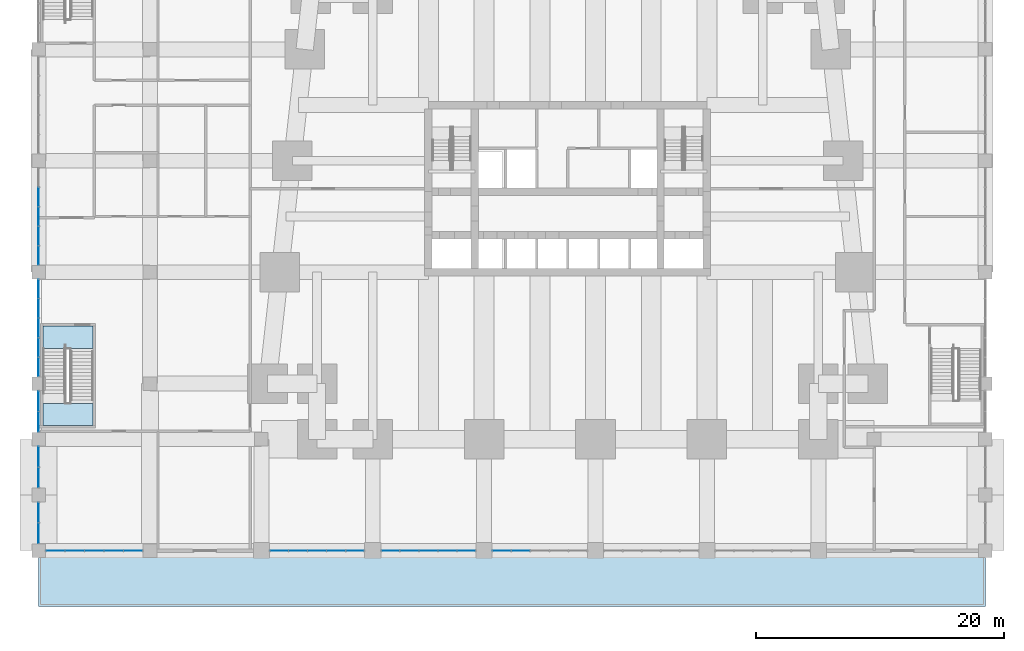
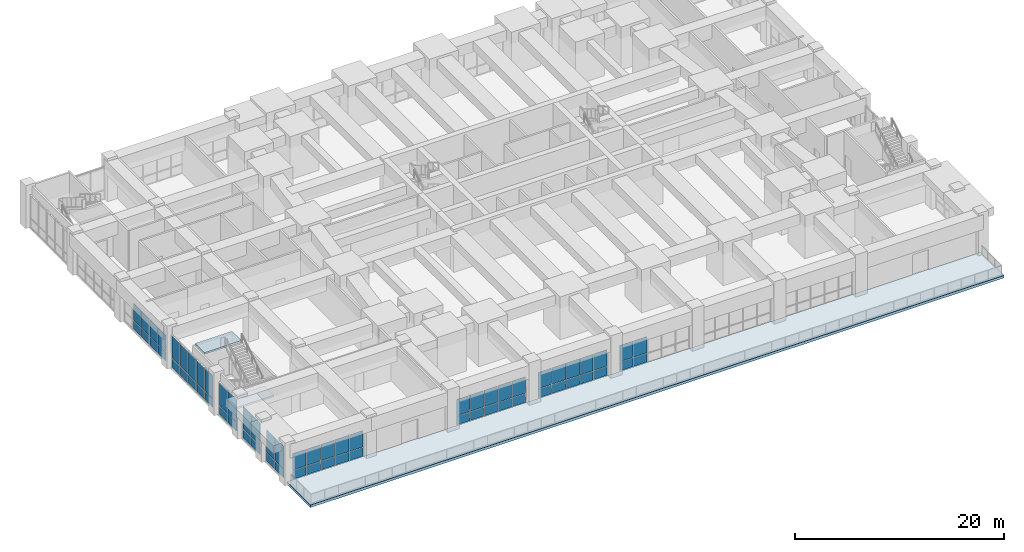
# One storey, part 17 of 27: 64 plates, 3 slabs, 10 elements without a shape of their own.
"""IFC4 building model written with IfcOpenShell, lengths in metres."""

from ifc_helpers import new_model, si_unit, direction, frame, origin, origin_2d, place, context, subcontext, project, spatial, polyline, rectangle, outline, extrude, material, layer, layer_set, type_object, element, aggregate, save


model = new_model("IFC4")

# Units and contexts
model_context = context("Model", 3, precision=1e-05, world=origin(), true_north=direction((0.0, 1.0)))
body_context = subcontext(model_context, "Body", "Model", "MODEL_VIEW")
ifc_project = project(units=[si_unit("LENGTHUNIT", "METRE"), si_unit("AREAUNIT", "SQUARE_METRE"), si_unit("VOLUMEUNIT", "CUBIC_METRE"), si_unit("PLANEANGLEUNIT", "RADIAN"), si_unit("MASSUNIT", "GRAM", prefix="KILO")], contexts=[model_context])

# Site, building, storey
site_placement = place(None, origin())
site = spatial("IfcSite", under=ifc_project, at=site_placement, CompositionType="ELEMENT")
building_placement = place(site_placement, origin())
building = spatial("IfcBuilding", under=site, at=building_placement, Name="Kilele Tower Hotel", CompositionType="ELEMENT")
storey_placement = place(building_placement, frame((0.0, 0.0, 6.0)))
storey = spatial("IfcBuildingStorey", under=building, at=storey_placement, Name="L01", CompositionType="ELEMENT", Elevation=6.0)

# Curtain wall, plates
ifc_material_1 = material(Name="Aluminium curtain wall, clear double glazing", Category="aluminium")
curtain_wall_type_1 = type_object("IfcCurtainWallType", Name="Podium curtain wall CW-1", PredefinedType="NOTDEFINED", material=ifc_material_1)
curtain_wall_1_placement = place(storey_placement, origin())
curtain_wall_1 = element("IfcCurtainWall", 1, at=curtain_wall_1_placement, inside=storey, type_object=curtain_wall_type_1, Name="Podium curtain wall CW-1 L01", PredefinedType="NOTDEFINED")
ifc_material_2 = material(Name="Clear double glazing", Category="glass")
ifc_layer_1 = layer(ifc_material_2, 0.028076171875)
ifc_layer_set_1 = layer_set([ifc_layer_1], Name="Clear double glazing")
plate_type_1 = type_object("IfcPlateType", Name="Glazed panel 28 CW-1", PredefinedType="CURTAIN_PANEL", material=ifc_layer_set_1)
plate_1_placement = place(storey_placement, frame((-16.64501953125, -9.0, 0.06005859375), z_axis=(0.0, 0.0, 1.0), x_axis=(1.0, 0.0, 0.0)))
plate_1 = element("IfcPlate", 2, at=plate_1_placement, type_object=plate_type_1, Name="CW-1 panel 1.1", PredefinedType="CURTAIN_PANEL", context=body_context, shape_type="SweptSolid", body=[
    extrude(rectangle(XDim=1.489990234375, YDim=0.028076171875, at=origin_2d()), origin(), (0.0, 0.0, 1.0), 1.010009765625),
])
plate_2_placement = place(storey_placement, frame((-16.64501953125, -9.0, 1.1298828125), z_axis=(0.0, 0.0, 1.0), x_axis=(1.0, 0.0, 0.0)))
plate_2 = element("IfcPlate", 3, at=plate_2_placement, type_object=plate_type_1, Name="CW-1 panel 1.2", PredefinedType="CURTAIN_PANEL", context=body_context, shape_type="SweptSolid", body=[
    extrude(rectangle(XDim=1.489990234375, YDim=0.028076171875, at=origin_2d()), origin(), (0.0, 0.0, 1.0), 1.909912109375),
])
plate_3_placement = place(storey_placement, frame((-15.080078125, -9.0, 0.06005859375), z_axis=(0.0, 0.0, 1.0), x_axis=(1.0, 0.0, 0.0)))
plate_3 = element("IfcPlate", 4, at=plate_3_placement, type_object=plate_type_1, Name="CW-1 panel 2.1", PredefinedType="CURTAIN_PANEL", context=body_context, shape_type="SweptSolid", body=[
    extrude(rectangle(XDim=1.52001953125, YDim=0.028076171875, at=origin_2d()), origin(), (0.0, 0.0, 1.0), 1.010009765625),
])
plate_4_placement = place(storey_placement, frame((-15.080078125, -9.0, 1.1298828125), z_axis=(0.0, 0.0, 1.0), x_axis=(1.0, 0.0, 0.0)))
plate_4 = element("IfcPlate", 5, at=plate_4_placement, type_object=plate_type_1, Name="CW-1 panel 2.2", PredefinedType="CURTAIN_PANEL", context=body_context, shape_type="SweptSolid", body=[
    extrude(rectangle(XDim=1.52001953125, YDim=0.028076171875, at=origin_2d()), origin(), (0.0, 0.0, 1.0), 1.909912109375),
])
plate_5_placement = place(storey_placement, frame((-13.5, -9.0, 0.06005859375), z_axis=(0.0, 0.0, 1.0), x_axis=(1.0, 0.0, 0.0)))
plate_5 = element("IfcPlate", 6, at=plate_5_placement, type_object=plate_type_1, Name="CW-1 panel 3.1", PredefinedType="CURTAIN_PANEL", context=body_context, shape_type="SweptSolid", body=[
    extrude(rectangle(XDim=1.52001953125, YDim=0.028076171875, at=origin_2d()), origin(), (0.0, 0.0, 1.0), 1.010009765625),
])
plate_6_placement = place(storey_placement, frame((-13.5, -9.0, 1.1298828125), z_axis=(0.0, 0.0, 1.0), x_axis=(1.0, 0.0, 0.0)))
plate_6 = element("IfcPlate", 7, at=plate_6_placement, type_object=plate_type_1, Name="CW-1 panel 3.2", PredefinedType="CURTAIN_PANEL", context=body_context, shape_type="SweptSolid", body=[
    extrude(rectangle(XDim=1.52001953125, YDim=0.028076171875, at=origin_2d()), origin(), (0.0, 0.0, 1.0), 1.909912109375),
])
plate_7_placement = place(storey_placement, frame((-11.919921875, -9.0, 0.06005859375), z_axis=(0.0, 0.0, 1.0), x_axis=(1.0, 0.0, 0.0)))
plate_7 = element("IfcPlate", 8, at=plate_7_placement, type_object=plate_type_1, Name="CW-1 panel 4.1", PredefinedType="CURTAIN_PANEL", context=body_context, shape_type="SweptSolid", body=[
    extrude(rectangle(XDim=1.52001953125, YDim=0.028076171875, at=origin_2d()), origin(), (0.0, 0.0, 1.0), 1.010009765625),
])
plate_8_placement = place(storey_placement, frame((-11.919921875, -9.0, 1.1298828125), z_axis=(0.0, 0.0, 1.0), x_axis=(1.0, 0.0, 0.0)))
plate_8 = element("IfcPlate", 9, at=plate_8_placement, type_object=plate_type_1, Name="CW-1 panel 4.2", PredefinedType="CURTAIN_PANEL", context=body_context, shape_type="SweptSolid", body=[
    extrude(rectangle(XDim=1.52001953125, YDim=0.028076171875, at=origin_2d()), origin(), (0.0, 0.0, 1.0), 1.909912109375),
])
plate_9_placement = place(storey_placement, frame((-10.35498046875, -9.0, 0.06005859375), z_axis=(0.0, 0.0, 1.0), x_axis=(1.0, 0.0, 0.0)))
plate_9 = element("IfcPlate", 10, at=plate_9_placement, type_object=plate_type_1, Name="CW-1 panel 5.1", PredefinedType="CURTAIN_PANEL", context=body_context, shape_type="SweptSolid", body=[
    extrude(rectangle(XDim=1.489990234375, YDim=0.028076171875, at=origin_2d()), origin(), (0.0, 0.0, 1.0), 1.010009765625),
])
plate_10_placement = place(storey_placement, frame((-10.35498046875, -9.0, 1.1298828125), z_axis=(0.0, 0.0, 1.0), x_axis=(1.0, 0.0, 0.0)))
plate_10 = element("IfcPlate", 11, at=plate_10_placement, type_object=plate_type_1, Name="CW-1 panel 5.2", PredefinedType="CURTAIN_PANEL", context=body_context, shape_type="SweptSolid", body=[
    extrude(rectangle(XDim=1.489990234375, YDim=0.028076171875, at=origin_2d()), origin(), (0.0, 0.0, 1.0), 1.909912109375),
])
aggregate(curtain_wall_1, [plate_1, plate_2, plate_3, plate_4, plate_5, plate_6, plate_7, plate_8, plate_9, plate_10])

curtain_wall_2_placement = place(storey_placement, origin())
curtain_wall_2 = element("IfcCurtainWall", 12, at=curtain_wall_2_placement, inside=storey, type_object=curtain_wall_type_1, Name="Podium curtain wall CW-1 L01", PredefinedType="NOTDEFINED")
plate_11_placement = place(storey_placement, frame((1.43505859375, -9.0, 0.06005859375), z_axis=(0.0, 0.0, 1.0), x_axis=(1.0, 0.0, 0.0)))
plate_11 = element("IfcPlate", 13, at=plate_11_placement, type_object=plate_type_1, Name="CW-1 panel 1.1", PredefinedType="CURTAIN_PANEL", context=body_context, shape_type="SweptSolid", body=[
    extrude(rectangle(XDim=1.449951171875, YDim=0.028076171875, at=origin_2d()), origin(), (0.0, 0.0, 1.0), 1.010009765625),
])
plate_12_placement = place(storey_placement, frame((1.43505859375, -9.0, 1.1298828125), z_axis=(0.0, 0.0, 1.0), x_axis=(1.0, 0.0, 0.0)))
plate_12 = element("IfcPlate", 14, at=plate_12_placement, type_object=plate_type_1, Name="CW-1 panel 1.2", PredefinedType="CURTAIN_PANEL", context=body_context, shape_type="SweptSolid", body=[
    extrude(rectangle(XDim=1.449951171875, YDim=0.028076171875, at=origin_2d()), origin(), (0.0, 0.0, 1.0), 1.909912109375),
])
plate_13_placement = place(storey_placement, frame((2.9599609375, -9.0, 0.06005859375), z_axis=(0.0, 0.0, 1.0), x_axis=(1.0, 0.0, 0.0)))
plate_13 = element("IfcPlate", 15, at=plate_13_placement, type_object=plate_type_1, Name="CW-1 panel 2.1", PredefinedType="CURTAIN_PANEL", context=body_context, shape_type="SweptSolid", body=[
    extrude(rectangle(XDim=1.47998046875, YDim=0.028076171875, at=origin_2d()), origin(), (0.0, 0.0, 1.0), 1.010009765625),
])
plate_14_placement = place(storey_placement, frame((2.9599609375, -9.0, 1.1298828125), z_axis=(0.0, 0.0, 1.0), x_axis=(1.0, 0.0, 0.0)))
plate_14 = element("IfcPlate", 16, at=plate_14_placement, type_object=plate_type_1, Name="CW-1 panel 2.2", PredefinedType="CURTAIN_PANEL", context=body_context, shape_type="SweptSolid", body=[
    extrude(rectangle(XDim=1.47998046875, YDim=0.028076171875, at=origin_2d()), origin(), (0.0, 0.0, 1.0), 1.909912109375),
])
plate_15_placement = place(storey_placement, frame((4.5, -9.0, 0.06005859375), z_axis=(0.0, 0.0, 1.0), x_axis=(1.0, 0.0, 0.0)))
plate_15 = element("IfcPlate", 17, at=plate_15_placement, type_object=plate_type_1, Name="CW-1 panel 3.1", PredefinedType="CURTAIN_PANEL", context=body_context, shape_type="SweptSolid", body=[
    extrude(rectangle(XDim=1.47998046875, YDim=0.028076171875, at=origin_2d()), origin(), (0.0, 0.0, 1.0), 1.010009765625),
])
plate_16_placement = place(storey_placement, frame((4.5, -9.0, 1.1298828125), z_axis=(0.0, 0.0, 1.0), x_axis=(1.0, 0.0, 0.0)))
plate_16 = element("IfcPlate", 18, at=plate_16_placement, type_object=plate_type_1, Name="CW-1 panel 3.2", PredefinedType="CURTAIN_PANEL", context=body_context, shape_type="SweptSolid", body=[
    extrude(rectangle(XDim=1.47998046875, YDim=0.028076171875, at=origin_2d()), origin(), (0.0, 0.0, 1.0), 1.909912109375),
])
plate_17_placement = place(storey_placement, frame((6.0400390625, -9.0, 0.06005859375), z_axis=(0.0, 0.0, 1.0), x_axis=(1.0, 0.0, 0.0)))
plate_17 = element("IfcPlate", 19, at=plate_17_placement, type_object=plate_type_1, Name="CW-1 panel 4.1", PredefinedType="CURTAIN_PANEL", context=body_context, shape_type="SweptSolid", body=[
    extrude(rectangle(XDim=1.47998046875, YDim=0.028076171875, at=origin_2d()), origin(), (0.0, 0.0, 1.0), 1.010009765625),
])
plate_18_placement = place(storey_placement, frame((6.0400390625, -9.0, 1.1298828125), z_axis=(0.0, 0.0, 1.0), x_axis=(1.0, 0.0, 0.0)))
plate_18 = element("IfcPlate", 20, at=plate_18_placement, type_object=plate_type_1, Name="CW-1 panel 4.2", PredefinedType="CURTAIN_PANEL", context=body_context, shape_type="SweptSolid", body=[
    extrude(rectangle(XDim=1.47998046875, YDim=0.028076171875, at=origin_2d()), origin(), (0.0, 0.0, 1.0), 1.909912109375),
])
plate_19_placement = place(storey_placement, frame((7.56494140625, -9.0, 0.06005859375), z_axis=(0.0, 0.0, 1.0), x_axis=(1.0, 0.0, 0.0)))
plate_19 = element("IfcPlate", 21, at=plate_19_placement, type_object=plate_type_1, Name="CW-1 panel 5.1", PredefinedType="CURTAIN_PANEL", context=body_context, shape_type="SweptSolid", body=[
    extrude(rectangle(XDim=1.449951171875, YDim=0.028076171875, at=origin_2d()), origin(), (0.0, 0.0, 1.0), 1.010009765625),
])
plate_20_placement = place(storey_placement, frame((7.56494140625, -9.0, 1.1298828125), z_axis=(0.0, 0.0, 1.0), x_axis=(1.0, 0.0, 0.0)))
plate_20 = element("IfcPlate", 22, at=plate_20_placement, type_object=plate_type_1, Name="CW-1 panel 5.2", PredefinedType="CURTAIN_PANEL", context=body_context, shape_type="SweptSolid", body=[
    extrude(rectangle(XDim=1.449951171875, YDim=0.028076171875, at=origin_2d()), origin(), (0.0, 0.0, 1.0), 1.909912109375),
])
aggregate(curtain_wall_2, [plate_11, plate_12, plate_13, plate_14, plate_15, plate_16, plate_17, plate_18, plate_19, plate_20])

curtain_wall_3_placement = place(storey_placement, origin())
curtain_wall_3 = element("IfcCurtainWall", 23, at=curtain_wall_3_placement, inside=storey, type_object=curtain_wall_type_1, Name="Podium curtain wall CW-1 L01", PredefinedType="NOTDEFINED")
plate_21_placement = place(storey_placement, frame((10.43505859375, -9.0, 0.06005859375), z_axis=(0.0, 0.0, 1.0), x_axis=(1.0, 0.0, 0.0)))
plate_21 = element("IfcPlate", 24, at=plate_21_placement, type_object=plate_type_1, Name="CW-1 panel 1.1", PredefinedType="CURTAIN_PANEL", context=body_context, shape_type="SweptSolid", body=[
    extrude(rectangle(XDim=1.449951171875, YDim=0.028076171875, at=origin_2d()), origin(), (0.0, 0.0, 1.0), 1.010009765625),
])
plate_22_placement = place(storey_placement, frame((10.43505859375, -9.0, 1.1298828125), z_axis=(0.0, 0.0, 1.0), x_axis=(1.0, 0.0, 0.0)))
plate_22 = element("IfcPlate", 25, at=plate_22_placement, type_object=plate_type_1, Name="CW-1 panel 1.2", PredefinedType="CURTAIN_PANEL", context=body_context, shape_type="SweptSolid", body=[
    extrude(rectangle(XDim=1.449951171875, YDim=0.028076171875, at=origin_2d()), origin(), (0.0, 0.0, 1.0), 1.909912109375),
])
plate_23_placement = place(storey_placement, frame((11.9599609375, -9.0, 0.06005859375), z_axis=(0.0, 0.0, 1.0), x_axis=(1.0, 0.0, 0.0)))
plate_23 = element("IfcPlate", 26, at=plate_23_placement, type_object=plate_type_1, Name="CW-1 panel 2.1", PredefinedType="CURTAIN_PANEL", context=body_context, shape_type="SweptSolid", body=[
    extrude(rectangle(XDim=1.47998046875, YDim=0.028076171875, at=origin_2d()), origin(), (0.0, 0.0, 1.0), 1.010009765625),
])
plate_24_placement = place(storey_placement, frame((11.9599609375, -9.0, 1.1298828125), z_axis=(0.0, 0.0, 1.0), x_axis=(1.0, 0.0, 0.0)))
plate_24 = element("IfcPlate", 27, at=plate_24_placement, type_object=plate_type_1, Name="CW-1 panel 2.2", PredefinedType="CURTAIN_PANEL", context=body_context, shape_type="SweptSolid", body=[
    extrude(rectangle(XDim=1.47998046875, YDim=0.028076171875, at=origin_2d()), origin(), (0.0, 0.0, 1.0), 1.909912109375),
])
plate_25_placement = place(storey_placement, frame((13.5, -9.0, 0.06005859375), z_axis=(0.0, 0.0, 1.0), x_axis=(1.0, 0.0, 0.0)))
plate_25 = element("IfcPlate", 28, at=plate_25_placement, type_object=plate_type_1, Name="CW-1 panel 3.1", PredefinedType="CURTAIN_PANEL", context=body_context, shape_type="SweptSolid", body=[
    extrude(rectangle(XDim=1.47998046875, YDim=0.028076171875, at=origin_2d()), origin(), (0.0, 0.0, 1.0), 1.010009765625),
])
plate_26_placement = place(storey_placement, frame((13.5, -9.0, 1.1298828125), z_axis=(0.0, 0.0, 1.0), x_axis=(1.0, 0.0, 0.0)))
plate_26 = element("IfcPlate", 29, at=plate_26_placement, type_object=plate_type_1, Name="CW-1 panel 3.2", PredefinedType="CURTAIN_PANEL", context=body_context, shape_type="SweptSolid", body=[
    extrude(rectangle(XDim=1.47998046875, YDim=0.028076171875, at=origin_2d()), origin(), (0.0, 0.0, 1.0), 1.909912109375),
])
plate_27_placement = place(storey_placement, frame((15.0400390625, -9.0, 0.06005859375), z_axis=(0.0, 0.0, 1.0), x_axis=(1.0, 0.0, 0.0)))
plate_27 = element("IfcPlate", 30, at=plate_27_placement, type_object=plate_type_1, Name="CW-1 panel 4.1", PredefinedType="CURTAIN_PANEL", context=body_context, shape_type="SweptSolid", body=[
    extrude(rectangle(XDim=1.47998046875, YDim=0.028076171875, at=origin_2d()), origin(), (0.0, 0.0, 1.0), 1.010009765625),
])
plate_28_placement = place(storey_placement, frame((15.0400390625, -9.0, 1.1298828125), z_axis=(0.0, 0.0, 1.0), x_axis=(1.0, 0.0, 0.0)))
plate_28 = element("IfcPlate", 31, at=plate_28_placement, type_object=plate_type_1, Name="CW-1 panel 4.2", PredefinedType="CURTAIN_PANEL", context=body_context, shape_type="SweptSolid", body=[
    extrude(rectangle(XDim=1.47998046875, YDim=0.028076171875, at=origin_2d()), origin(), (0.0, 0.0, 1.0), 1.909912109375),
])
plate_29_placement = place(storey_placement, frame((16.56494140625, -9.0, 0.06005859375), z_axis=(0.0, 0.0, 1.0), x_axis=(1.0, 0.0, 0.0)))
plate_29 = element("IfcPlate", 32, at=plate_29_placement, type_object=plate_type_1, Name="CW-1 panel 5.1", PredefinedType="CURTAIN_PANEL", context=body_context, shape_type="SweptSolid", body=[
    extrude(rectangle(XDim=1.449951171875, YDim=0.028076171875, at=origin_2d()), origin(), (0.0, 0.0, 1.0), 1.010009765625),
])
plate_30_placement = place(storey_placement, frame((16.56494140625, -9.0, 1.1298828125), z_axis=(0.0, 0.0, 1.0), x_axis=(1.0, 0.0, 0.0)))
plate_30 = element("IfcPlate", 33, at=plate_30_placement, type_object=plate_type_1, Name="CW-1 panel 5.2", PredefinedType="CURTAIN_PANEL", context=body_context, shape_type="SweptSolid", body=[
    extrude(rectangle(XDim=1.449951171875, YDim=0.028076171875, at=origin_2d()), origin(), (0.0, 0.0, 1.0), 1.909912109375),
])
aggregate(curtain_wall_3, [plate_21, plate_22, plate_23, plate_24, plate_25, plate_26, plate_27, plate_28, plate_29, plate_30])

curtain_wall_4_placement = place(storey_placement, origin())
curtain_wall_4 = element("IfcCurtainWall", 34, at=curtain_wall_4_placement, inside=storey, type_object=curtain_wall_type_1, Name="Podium curtain wall CW-1 L01", PredefinedType="NOTDEFINED")
plate_31_placement = place(storey_placement, frame((19.43505859375, -9.0, 0.06005859375), z_axis=(0.0, 0.0, 1.0), x_axis=(1.0, 0.0, 0.0)))
plate_31 = element("IfcPlate", 35, at=plate_31_placement, type_object=plate_type_1, Name="CW-1 panel 1.1", PredefinedType="CURTAIN_PANEL", context=body_context, shape_type="SweptSolid", body=[
    extrude(rectangle(XDim=1.449951171875, YDim=0.028076171875, at=origin_2d()), origin(), (0.0, 0.0, 1.0), 1.010009765625),
])
plate_32_placement = place(storey_placement, frame((19.43505859375, -9.0, 1.1298828125), z_axis=(0.0, 0.0, 1.0), x_axis=(1.0, 0.0, 0.0)))
plate_32 = element("IfcPlate", 36, at=plate_32_placement, type_object=plate_type_1, Name="CW-1 panel 1.2", PredefinedType="CURTAIN_PANEL", context=body_context, shape_type="SweptSolid", body=[
    extrude(rectangle(XDim=1.449951171875, YDim=0.028076171875, at=origin_2d()), origin(), (0.0, 0.0, 1.0), 1.909912109375),
])
plate_33_placement = place(storey_placement, frame((20.9599609375, -9.0, 0.06005859375), z_axis=(0.0, 0.0, 1.0), x_axis=(1.0, 0.0, 0.0)))
plate_33 = element("IfcPlate", 37, at=plate_33_placement, type_object=plate_type_1, Name="CW-1 panel 2.1", PredefinedType="CURTAIN_PANEL", context=body_context, shape_type="SweptSolid", body=[
    extrude(rectangle(XDim=1.47998046875, YDim=0.028076171875, at=origin_2d()), origin(), (0.0, 0.0, 1.0), 1.010009765625),
])
plate_34_placement = place(storey_placement, frame((20.9599609375, -9.0, 1.1298828125), z_axis=(0.0, 0.0, 1.0), x_axis=(1.0, 0.0, 0.0)))
plate_34 = element("IfcPlate", 38, at=plate_34_placement, type_object=plate_type_1, Name="CW-1 panel 2.2", PredefinedType="CURTAIN_PANEL", context=body_context, shape_type="SweptSolid", body=[
    extrude(rectangle(XDim=1.47998046875, YDim=0.028076171875, at=origin_2d()), origin(), (0.0, 0.0, 1.0), 1.909912109375),
])
aggregate(curtain_wall_4, [plate_31, plate_32, plate_33, plate_34])

ifc_material_3 = material(Name="Aluminium curtain wall, clear double glazing", Category="aluminium")
curtain_wall_type_2 = type_object("IfcCurtainWallType", Name="Podium side curtain wall CW-2", PredefinedType="NOTDEFINED", material=ifc_material_3)
curtain_wall_5_placement = place(storey_placement, origin())
curtain_wall_5 = element("IfcCurtainWall", 39, at=curtain_wall_5_placement, inside=storey, type_object=curtain_wall_type_2, Name="Podium side curtain wall CW-2 L01", PredefinedType="NOTDEFINED")
ifc_material_4 = material(Name="Clear double glazing", Category="glass")
ifc_layer_2 = layer(ifc_material_4, 0.028076171875)
ifc_layer_set_2 = layer_set([ifc_layer_2], Name="Clear double glazing")
plate_type_2 = type_object("IfcPlateType", Name="Glazed panel 28 CW-2", PredefinedType="CURTAIN_PANEL", material=ifc_layer_set_2)
plate_35_placement = place(storey_placement, frame((-18.0, 19.580078125, 0.06005859375), z_axis=(0.0, 0.0, 1.0), x_axis=(0.0, -1.0, 0.0)))
plate_35 = element("IfcPlate", 40, at=plate_35_placement, type_object=plate_type_2, Name="CW-2 panel 2.1", PredefinedType="CURTAIN_PANEL", context=body_context, shape_type="SweptSolid", body=[
    extrude(rectangle(XDim=1.52001953125, YDim=0.028076171875, at=origin_2d()), origin(), (0.0, 0.0, 1.0), 1.010009765625),
])
plate_36_placement = place(storey_placement, frame((-18.0, 19.580078125, 1.1298828125), z_axis=(0.0, 0.0, 1.0), x_axis=(0.0, -1.0, 0.0)))
plate_36 = element("IfcPlate", 41, at=plate_36_placement, type_object=plate_type_2, Name="CW-2 panel 2.2", PredefinedType="CURTAIN_PANEL", context=body_context, shape_type="SweptSolid", body=[
    extrude(rectangle(XDim=1.52001953125, YDim=0.028076171875, at=origin_2d()), origin(), (0.0, 0.0, 1.0), 1.909912109375),
])
plate_37_placement = place(storey_placement, frame((-18.0, 18.0, 0.06005859375), z_axis=(0.0, 0.0, 1.0), x_axis=(0.0, -1.0, 0.0)))
plate_37 = element("IfcPlate", 42, at=plate_37_placement, type_object=plate_type_2, Name="CW-2 panel 3.1", PredefinedType="CURTAIN_PANEL", context=body_context, shape_type="SweptSolid", body=[
    extrude(rectangle(XDim=1.52001953125, YDim=0.028076171875, at=origin_2d()), origin(), (0.0, 0.0, 1.0), 1.010009765625),
])
plate_38_placement = place(storey_placement, frame((-18.0, 18.0, 1.1298828125), z_axis=(0.0, 0.0, 1.0), x_axis=(0.0, -1.0, 0.0)))
plate_38 = element("IfcPlate", 43, at=plate_38_placement, type_object=plate_type_2, Name="CW-2 panel 3.2", PredefinedType="CURTAIN_PANEL", context=body_context, shape_type="SweptSolid", body=[
    extrude(rectangle(XDim=1.52001953125, YDim=0.028076171875, at=origin_2d()), origin(), (0.0, 0.0, 1.0), 1.909912109375),
])
plate_39_placement = place(storey_placement, frame((-18.0, 16.419921875, 0.06005859375), z_axis=(0.0, 0.0, 1.0), x_axis=(0.0, -1.0, 0.0)))
plate_39 = element("IfcPlate", 44, at=plate_39_placement, type_object=plate_type_2, Name="CW-2 panel 4.1", PredefinedType="CURTAIN_PANEL", context=body_context, shape_type="SweptSolid", body=[
    extrude(rectangle(XDim=1.52001953125, YDim=0.028076171875, at=origin_2d()), origin(), (0.0, 0.0, 1.0), 1.010009765625),
])
plate_40_placement = place(storey_placement, frame((-18.0, 16.419921875, 1.1298828125), z_axis=(0.0, 0.0, 1.0), x_axis=(0.0, -1.0, 0.0)))
plate_40 = element("IfcPlate", 45, at=plate_40_placement, type_object=plate_type_2, Name="CW-2 panel 4.2", PredefinedType="CURTAIN_PANEL", context=body_context, shape_type="SweptSolid", body=[
    extrude(rectangle(XDim=1.52001953125, YDim=0.028076171875, at=origin_2d()), origin(), (0.0, 0.0, 1.0), 1.909912109375),
])
plate_41_placement = place(storey_placement, frame((-18.0, 14.85498046875, 0.06005859375), z_axis=(0.0, 0.0, 1.0), x_axis=(0.0, -1.0, 0.0)))
plate_41 = element("IfcPlate", 46, at=plate_41_placement, type_object=plate_type_2, Name="CW-2 panel 5.1", PredefinedType="CURTAIN_PANEL", context=body_context, shape_type="SweptSolid", body=[
    extrude(rectangle(XDim=1.489990234375, YDim=0.028076171875, at=origin_2d()), origin(), (0.0, 0.0, 1.0), 1.010009765625),
])
plate_42_placement = place(storey_placement, frame((-18.0, 14.85498046875, 1.1298828125), z_axis=(0.0, 0.0, 1.0), x_axis=(0.0, -1.0, 0.0)))
plate_42 = element("IfcPlate", 47, at=plate_42_placement, type_object=plate_type_2, Name="CW-2 panel 5.2", PredefinedType="CURTAIN_PANEL", context=body_context, shape_type="SweptSolid", body=[
    extrude(rectangle(XDim=1.489990234375, YDim=0.028076171875, at=origin_2d()), origin(), (0.0, 0.0, 1.0), 1.909912109375),
])
aggregate(curtain_wall_5, [plate_35, plate_36, plate_37, plate_38, plate_39, plate_40, plate_41, plate_42])

curtain_wall_6_placement = place(storey_placement, origin())
curtain_wall_6 = element("IfcCurtainWall", 48, at=curtain_wall_6_placement, inside=storey, type_object=curtain_wall_type_2, Name="Podium side curtain wall CW-2 L01", PredefinedType="NOTDEFINED")
plate_43_placement = place(storey_placement, frame((-18.0, 12.14501953125, 0.06005859375), z_axis=(0.0, 0.0, 1.0), x_axis=(0.0, -1.0, 0.0)))
plate_43 = element("IfcPlate", 49, at=plate_43_placement, type_object=plate_type_2, Name="CW-2 panel 1.1", PredefinedType="CURTAIN_PANEL", context=body_context, shape_type="SweptSolid", body=[
    extrude(rectangle(XDim=1.489990234375, YDim=0.028076171875, at=origin_2d()), origin(), (0.0, 0.0, 1.0), 1.010009765625),
])
plate_44_placement = place(storey_placement, frame((-18.0, 12.14501953125, 1.1298828125), z_axis=(0.0, 0.0, 1.0), x_axis=(0.0, -1.0, 0.0)))
plate_44 = element("IfcPlate", 50, at=plate_44_placement, type_object=plate_type_2, Name="CW-2 panel 1.2", PredefinedType="CURTAIN_PANEL", context=body_context, shape_type="SweptSolid", body=[
    extrude(rectangle(XDim=1.489990234375, YDim=0.028076171875, at=origin_2d()), origin(), (0.0, 0.0, 1.0), 2.610107421875),
])
plate_45_placement = place(storey_placement, frame((-18.0, 10.580078125, 0.06005859375), z_axis=(0.0, 0.0, 1.0), x_axis=(0.0, -1.0, 0.0)))
plate_45 = element("IfcPlate", 51, at=plate_45_placement, type_object=plate_type_2, Name="CW-2 panel 2.1", PredefinedType="CURTAIN_PANEL", context=body_context, shape_type="SweptSolid", body=[
    extrude(rectangle(XDim=1.52001953125, YDim=0.028076171875, at=origin_2d()), origin(), (0.0, 0.0, 1.0), 1.010009765625),
])
plate_46_placement = place(storey_placement, frame((-18.0, 10.580078125, 1.1298828125), z_axis=(0.0, 0.0, 1.0), x_axis=(0.0, -1.0, 0.0)))
plate_46 = element("IfcPlate", 52, at=plate_46_placement, type_object=plate_type_2, Name="CW-2 panel 2.2", PredefinedType="CURTAIN_PANEL", context=body_context, shape_type="SweptSolid", body=[
    extrude(rectangle(XDim=1.52001953125, YDim=0.028076171875, at=origin_2d()), origin(), (0.0, 0.0, 1.0), 2.610107421875),
])
plate_47_placement = place(storey_placement, frame((-18.0, 9.0, 0.06005859375), z_axis=(0.0, 0.0, 1.0), x_axis=(0.0, -1.0, 0.0)))
plate_47 = element("IfcPlate", 53, at=plate_47_placement, type_object=plate_type_2, Name="CW-2 panel 3.1", PredefinedType="CURTAIN_PANEL", context=body_context, shape_type="SweptSolid", body=[
    extrude(rectangle(XDim=1.52001953125, YDim=0.028076171875, at=origin_2d()), origin(), (0.0, 0.0, 1.0), 1.010009765625),
])
plate_48_placement = place(storey_placement, frame((-18.0, 9.0, 1.1298828125), z_axis=(0.0, 0.0, 1.0), x_axis=(0.0, -1.0, 0.0)))
plate_48 = element("IfcPlate", 54, at=plate_48_placement, type_object=plate_type_2, Name="CW-2 panel 3.2", PredefinedType="CURTAIN_PANEL", context=body_context, shape_type="SweptSolid", body=[
    extrude(rectangle(XDim=1.52001953125, YDim=0.028076171875, at=origin_2d()), origin(), (0.0, 0.0, 1.0), 2.610107421875),
])
plate_49_placement = place(storey_placement, frame((-18.0, 7.419921875, 0.06005859375), z_axis=(0.0, 0.0, 1.0), x_axis=(0.0, -1.0, 0.0)))
plate_49 = element("IfcPlate", 55, at=plate_49_placement, type_object=plate_type_2, Name="CW-2 panel 4.1", PredefinedType="CURTAIN_PANEL", context=body_context, shape_type="SweptSolid", body=[
    extrude(rectangle(XDim=1.52001953125, YDim=0.028076171875, at=origin_2d()), origin(), (0.0, 0.0, 1.0), 1.010009765625),
])
plate_50_placement = place(storey_placement, frame((-18.0, 7.419921875, 1.1298828125), z_axis=(0.0, 0.0, 1.0), x_axis=(0.0, -1.0, 0.0)))
plate_50 = element("IfcPlate", 56, at=plate_50_placement, type_object=plate_type_2, Name="CW-2 panel 4.2", PredefinedType="CURTAIN_PANEL", context=body_context, shape_type="SweptSolid", body=[
    extrude(rectangle(XDim=1.52001953125, YDim=0.028076171875, at=origin_2d()), origin(), (0.0, 0.0, 1.0), 2.610107421875),
])
plate_51_placement = place(storey_placement, frame((-18.0, 5.85498046875, 0.06005859375), z_axis=(0.0, 0.0, 1.0), x_axis=(0.0, -1.0, 0.0)))
plate_51 = element("IfcPlate", 57, at=plate_51_placement, type_object=plate_type_2, Name="CW-2 panel 5.1", PredefinedType="CURTAIN_PANEL", context=body_context, shape_type="SweptSolid", body=[
    extrude(rectangle(XDim=1.489990234375, YDim=0.028076171875, at=origin_2d()), origin(), (0.0, 0.0, 1.0), 1.010009765625),
])
plate_52_placement = place(storey_placement, frame((-18.0, 5.85498046875, 1.1298828125), z_axis=(0.0, 0.0, 1.0), x_axis=(0.0, -1.0, 0.0)))
plate_52 = element("IfcPlate", 58, at=plate_52_placement, type_object=plate_type_2, Name="CW-2 panel 5.2", PredefinedType="CURTAIN_PANEL", context=body_context, shape_type="SweptSolid", body=[
    extrude(rectangle(XDim=1.489990234375, YDim=0.028076171875, at=origin_2d()), origin(), (0.0, 0.0, 1.0), 2.610107421875),
])
aggregate(curtain_wall_6, [plate_43, plate_44, plate_45, plate_46, plate_47, plate_48, plate_49, plate_50, plate_51, plate_52])

curtain_wall_7_placement = place(storey_placement, origin())
curtain_wall_7 = element("IfcCurtainWall", 59, at=curtain_wall_7_placement, inside=storey, type_object=curtain_wall_type_2, Name="Podium side curtain wall CW-2 L01", PredefinedType="NOTDEFINED")
plate_53_placement = place(storey_placement, frame((-18.0, 3.0849609375, 0.06005859375), z_axis=(0.0, 0.0, 1.0), x_axis=(0.0, -1.0, 0.0)))
plate_53 = element("IfcPlate", 60, at=plate_53_placement, type_object=plate_type_2, Name="CW-2 panel 1.1", PredefinedType="CURTAIN_PANEL", context=body_context, shape_type="SweptSolid", body=[
    extrude(rectangle(XDim=1.610107421875, YDim=0.028076171875, at=origin_2d()), origin(), (0.0, 0.0, 1.0), 1.010009765625),
])
plate_54_placement = place(storey_placement, frame((-18.0, 3.0849609375, 1.1298828125), z_axis=(0.0, 0.0, 1.0), x_axis=(0.0, -1.0, 0.0)))
plate_54 = element("IfcPlate", 61, at=plate_54_placement, type_object=plate_type_2, Name="CW-2 panel 1.2", PredefinedType="CURTAIN_PANEL", context=body_context, shape_type="SweptSolid", body=[
    extrude(rectangle(XDim=1.610107421875, YDim=0.028076171875, at=origin_2d()), origin(), (0.0, 0.0, 1.0), 2.610107421875),
])
plate_55_placement = place(storey_placement, frame((-18.0, 1.4150390625, 0.06005859375), z_axis=(0.0, 0.0, 1.0), x_axis=(0.0, -1.0, 0.0)))
plate_55 = element("IfcPlate", 62, at=plate_55_placement, type_object=plate_type_2, Name="CW-2 panel 2.1", PredefinedType="CURTAIN_PANEL", context=body_context, shape_type="SweptSolid", body=[
    extrude(rectangle(XDim=1.610107421875, YDim=0.028076171875, at=origin_2d()), origin(), (0.0, 0.0, 1.0), 1.010009765625),
])
plate_56_placement = place(storey_placement, frame((-18.0, 1.4150390625, 1.1298828125), z_axis=(0.0, 0.0, 1.0), x_axis=(0.0, -1.0, 0.0)))
plate_56 = element("IfcPlate", 63, at=plate_56_placement, type_object=plate_type_2, Name="CW-2 panel 2.2", PredefinedType="CURTAIN_PANEL", context=body_context, shape_type="SweptSolid", body=[
    extrude(rectangle(XDim=1.610107421875, YDim=0.028076171875, at=origin_2d()), origin(), (0.0, 0.0, 1.0), 2.610107421875),
])
aggregate(curtain_wall_7, [plate_53, plate_54, plate_55, plate_56])

curtain_wall_8_placement = place(storey_placement, origin())
curtain_wall_8 = element("IfcCurtainWall", 64, at=curtain_wall_8_placement, inside=storey, type_object=curtain_wall_type_2, Name="Podium side curtain wall CW-2 L01", PredefinedType="NOTDEFINED")
plate_57_placement = place(storey_placement, frame((-18.0, -1.4150390625, 0.06005859375), z_axis=(0.0, 0.0, 1.0), x_axis=(0.0, -1.0, 0.0)))
plate_57 = element("IfcPlate", 65, at=plate_57_placement, type_object=plate_type_2, Name="CW-2 panel 1.1", PredefinedType="CURTAIN_PANEL", context=body_context, shape_type="SweptSolid", body=[
    extrude(rectangle(XDim=1.610107421875, YDim=0.028076171875, at=origin_2d()), origin(), (0.0, 0.0, 1.0), 1.010009765625),
])
plate_58_placement = place(storey_placement, frame((-18.0, -1.4150390625, 1.1298828125), z_axis=(0.0, 0.0, 1.0), x_axis=(0.0, -1.0, 0.0)))
plate_58 = element("IfcPlate", 66, at=plate_58_placement, type_object=plate_type_2, Name="CW-2 panel 1.2", PredefinedType="CURTAIN_PANEL", context=body_context, shape_type="SweptSolid", body=[
    extrude(rectangle(XDim=1.610107421875, YDim=0.028076171875, at=origin_2d()), origin(), (0.0, 0.0, 1.0), 2.610107421875),
])
plate_59_placement = place(storey_placement, frame((-18.0, -3.0849609375, 0.06005859375), z_axis=(0.0, 0.0, 1.0), x_axis=(0.0, -1.0, 0.0)))
plate_59 = element("IfcPlate", 67, at=plate_59_placement, type_object=plate_type_2, Name="CW-2 panel 2.1", PredefinedType="CURTAIN_PANEL", context=body_context, shape_type="SweptSolid", body=[
    extrude(rectangle(XDim=1.610107421875, YDim=0.028076171875, at=origin_2d()), origin(), (0.0, 0.0, 1.0), 1.010009765625),
])
plate_60_placement = place(storey_placement, frame((-18.0, -3.0849609375, 1.1298828125), z_axis=(0.0, 0.0, 1.0), x_axis=(0.0, -1.0, 0.0)))
plate_60 = element("IfcPlate", 68, at=plate_60_placement, type_object=plate_type_2, Name="CW-2 panel 2.2", PredefinedType="CURTAIN_PANEL", context=body_context, shape_type="SweptSolid", body=[
    extrude(rectangle(XDim=1.610107421875, YDim=0.028076171875, at=origin_2d()), origin(), (0.0, 0.0, 1.0), 2.610107421875),
])
aggregate(curtain_wall_8, [plate_57, plate_58, plate_59, plate_60])

curtain_wall_9_placement = place(storey_placement, origin())
curtain_wall_9 = element("IfcCurtainWall", 69, at=curtain_wall_9_placement, inside=storey, type_object=curtain_wall_type_2, Name="Podium side curtain wall CW-2 L01", PredefinedType="NOTDEFINED")
plate_61_placement = place(storey_placement, frame((-18.0, -5.9150390625, 0.06005859375), z_axis=(0.0, 0.0, 1.0), x_axis=(0.0, -1.0, 0.0)))
plate_61 = element("IfcPlate", 70, at=plate_61_placement, type_object=plate_type_2, Name="CW-2 panel 1.1", PredefinedType="CURTAIN_PANEL", context=body_context, shape_type="SweptSolid", body=[
    extrude(rectangle(XDim=1.610107421875, YDim=0.028076171875, at=origin_2d()), origin(), (0.0, 0.0, 1.0), 1.010009765625),
])
plate_62_placement = place(storey_placement, frame((-18.0, -5.9150390625, 1.1298828125), z_axis=(0.0, 0.0, 1.0), x_axis=(0.0, -1.0, 0.0)))
plate_62 = element("IfcPlate", 71, at=plate_62_placement, type_object=plate_type_2, Name="CW-2 panel 1.2", PredefinedType="CURTAIN_PANEL", context=body_context, shape_type="SweptSolid", body=[
    extrude(rectangle(XDim=1.610107421875, YDim=0.028076171875, at=origin_2d()), origin(), (0.0, 0.0, 1.0), 2.610107421875),
])
plate_63_placement = place(storey_placement, frame((-18.0, -7.5849609375, 0.06005859375), z_axis=(0.0, 0.0, 1.0), x_axis=(0.0, -1.0, 0.0)))
plate_63 = element("IfcPlate", 72, at=plate_63_placement, type_object=plate_type_2, Name="CW-2 panel 2.1", PredefinedType="CURTAIN_PANEL", context=body_context, shape_type="SweptSolid", body=[
    extrude(rectangle(XDim=1.610107421875, YDim=0.028076171875, at=origin_2d()), origin(), (0.0, 0.0, 1.0), 1.010009765625),
])
plate_64_placement = place(storey_placement, frame((-18.0, -7.5849609375, 1.1298828125), z_axis=(0.0, 0.0, 1.0), x_axis=(0.0, -1.0, 0.0)))
plate_64 = element("IfcPlate", 73, at=plate_64_placement, type_object=plate_type_2, Name="CW-2 panel 2.2", PredefinedType="CURTAIN_PANEL", context=body_context, shape_type="SweptSolid", body=[
    extrude(rectangle(XDim=1.610107421875, YDim=0.028076171875, at=origin_2d()), origin(), (0.0, 0.0, 1.0), 2.610107421875),
])
aggregate(curtain_wall_9, [plate_61, plate_62, plate_63, plate_64])

# Slab
ifc_material_5 = material(Name="Concrete C60/75", Category="concrete")
ifc_layer_3 = layer(ifc_material_5, 0.300048828125)
ifc_layer_set_3 = layer_set([ifc_layer_3], Name="Concrete C60/75")
slab_type_1 = type_object("IfcSlabType", Name="Roof slab 300", PredefinedType="ROOF", material=ifc_layer_set_3)
slab_1_placement = place(storey_placement, frame((0.0, 0.0, -0.300048828125)))
element("IfcSlab", 74, at=slab_1_placement, inside=storey, type_object=slab_type_1, Name="Roof slab level L01", PredefinedType="ROOF", context=body_context, shape_type="SweptSolid", body=[
    extrude(outline(polyline([(58.5, -13.5), (-18.0, -13.5), (-18.0, -9.0009765625), (58.5, -9.0009765625), (58.5, -13.5)])), origin(), (0.0, 0.0, 1.0), 0.300048828125),
])

# Stair, slabs
ifc_material_6 = material(Name="Precast concrete C40/50", Category="concrete")
stair_type = type_object("IfcStairType", Name="Stair 1800 x 5000", PredefinedType="HALF_TURN_STAIR", material=ifc_material_6)
stair_placement = place(storey_placement, origin())
stair = element("IfcStair", 75, at=stair_placement, inside=storey, type_object=stair_type, Name="Stair 4 L01", PredefinedType="HALF_TURN_STAIR")
ifc_material_7 = material(Name="Precast concrete C40/50", Category="concrete")
ifc_layer_4 = layer(ifc_material_7, 0.199951171875)
ifc_layer_set_4 = layer_set([ifc_layer_4], Name="Precast concrete C40/50")
slab_type_2 = type_object("IfcSlabType", Name="Stair landing 200", PredefinedType="LANDING", material=ifc_layer_set_4)
slab_2_placement = place(storey_placement, frame((0.0, 0.0, 2.2138671875)))
slab_2 = element("IfcSlab", 76, at=slab_2_placement, type_object=slab_type_2, Name="ST4 landing 1", PredefinedType="LANDING", context=body_context, shape_type="SweptSolid", body=[
    extrude(outline(polyline([(-17.64990234375, 1.10009765625), (-13.60009765625, 1.10009765625), (-13.60009765625, 2.89990234375), (-17.64990234375, 2.89990234375), (-17.64990234375, 1.10009765625)])), origin(), (0.0, 0.0, 1.0), 0.199951171875),
])
slab_3_placement = place(storey_placement, frame((0.0, 0.0, 4.800048828125)))
slab_3 = element("IfcSlab", 77, at=slab_3_placement, type_object=slab_type_2, Name="ST4 landing 2", PredefinedType="LANDING", context=body_context, shape_type="SweptSolid", body=[
    extrude(outline(polyline([(-17.64990234375, 7.35009765625), (-13.60009765625, 7.35009765625), (-13.60009765625, 9.14990234375), (-17.64990234375, 9.14990234375), (-17.64990234375, 7.35009765625)])), origin(), (0.0, 0.0, 1.0), 0.199951171875),
])
aggregate(stair, [slab_2, slab_3])

save(model, "model.ifc")
